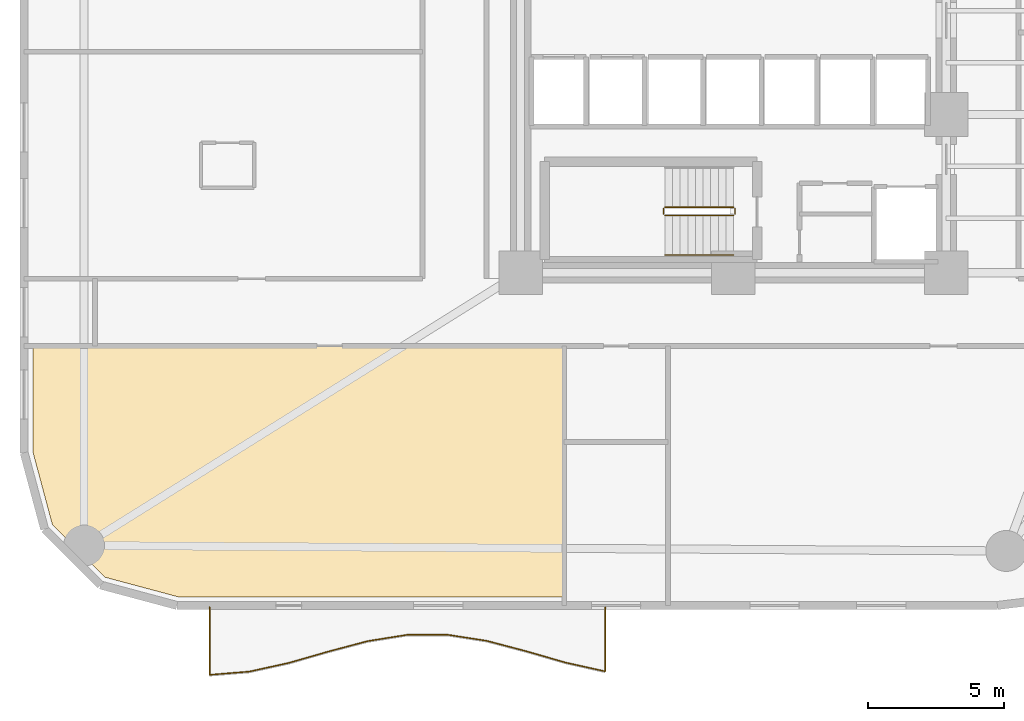
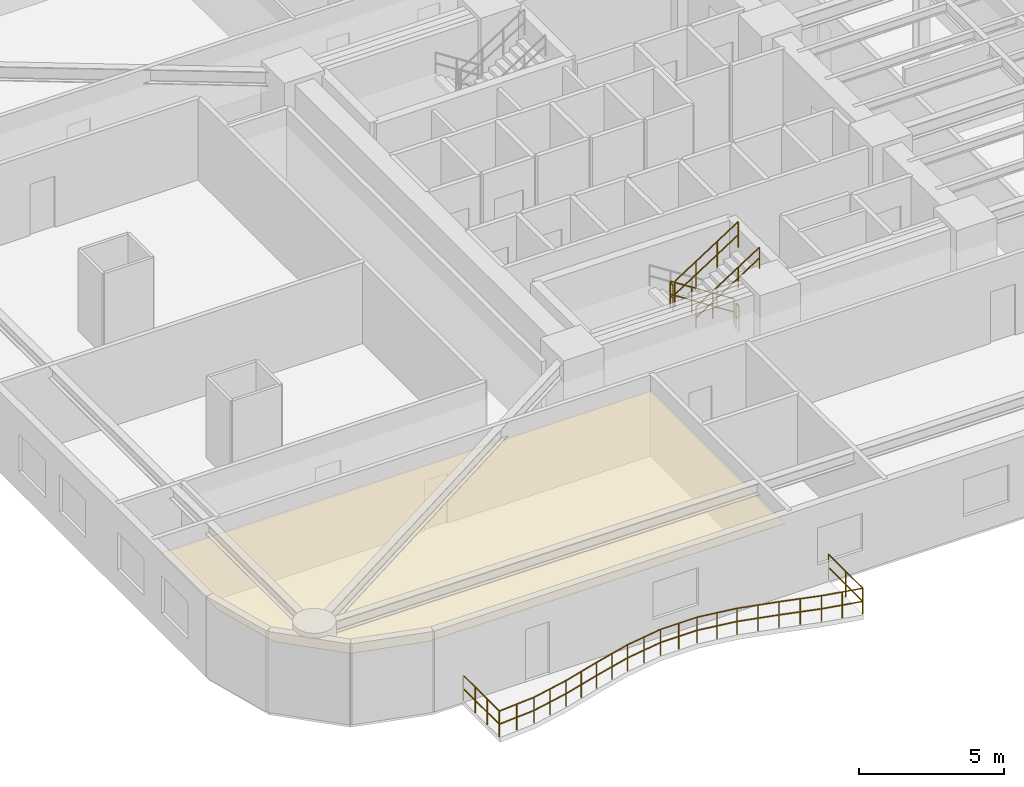
# One storey, part 14 of 16: 6 railings, 1 covering.
"""IFC4 building model written with IfcOpenShell, lengths in metres."""

import ifcopenshell
import ifcopenshell.guid

model = None  # the IFC model being written
_history = None  # IfcOwnerHistory: only IFC2X3 demands one
_inside = {}  # id of a spatial element -> (the spatial element, [elements in it])
_under = {}  # id of a project, library or spatial element -> (it, [spatial elements below it])
_declared = {}  # id of a project -> (the project, [libraries it declares])
_typed = {}  # id of a type object -> (the type object, [elements of that type])
_made_of = {}  # id of a material, layer set ... -> (it, [elements and type objects made of it])


def new_model(schema):
    """Start an empty IFC model of exactly this schema.

    Asked for "IFC4X3", IfcOpenShell would pick the latest addendum, in which some entities
    have other attributes; the version numbers below select the first issue.
    IFC2X3 requires an IfcOwnerHistory on every rooted entity: one is made here for all.
    """
    global model, _history
    if schema == "IFC4X3":
        model = ifcopenshell.file(schema_version=(4, 3, 0, 0))
    else:
        model = ifcopenshell.file(schema=schema)
    _inside.clear()
    _under.clear()
    _declared.clear()
    _typed.clear()
    _made_of.clear()
    _history = None
    if model.schema == "IFC2X3":
        org = make("IfcOrganization", Name="unknown")
        user = make(
            "IfcPersonAndOrganization",
            ThePerson=make("IfcPerson", FamilyName="unknown"),
            TheOrganization=org,
        )
        app = make(
            "IfcApplication",
            ApplicationDeveloper=org,
            Version="unknown",
            ApplicationFullName="unknown",
            ApplicationIdentifier="unknown",
        )
        _history = make(
            "IfcOwnerHistory",
            OwningUser=user,
            OwningApplication=app,
            ChangeAction="ADDED",
            CreationDate=0,
        )
    return model


def make(cls, **values):
    """One entity of the class cls with the attributes given. An attribute that is None is left unset."""
    return model.create_entity(
        cls, **{name: value for name, value in values.items() if value is not None}
    )


def rooted(cls, **values):
    """An entity with a GlobalId (a new one), such as an element, a storey or a relation."""
    return make(cls, GlobalId=ifcopenshell.guid.new(), OwnerHistory=_history, **values)


def si_unit(unit_type, name, prefix=None):
    """IfcSIUnit, for example si_unit("LENGTHUNIT", "METRE", prefix="MILLI")."""
    return make("IfcSIUnit", UnitType=unit_type, Prefix=prefix, Name=name)


def assignment(units):
    """IfcUnitAssignment: the units of a project."""
    return None if units is None else make("IfcUnitAssignment", Units=units)


def point(xyz):
    """IfcCartesianPoint."""
    return None if xyz is None else make("IfcCartesianPoint", Coordinates=xyz)


def direction(xyz):
    """IfcDirection."""
    return None if xyz is None else make("IfcDirection", DirectionRatios=xyz)


def frame(location, z_axis=None, x_axis=None):
    """IfcAxis2Placement3D, a coordinate frame: its origin and axes. An axis left out is left unset."""
    return make(
        "IfcAxis2Placement3D",
        Location=point(location),
        Axis=direction(z_axis),
        RefDirection=direction(x_axis),
    )


def frame_2d(location, x_axis=None):
    """IfcAxis2Placement2D, a coordinate frame in the plane: its origin and x axis."""
    return make(
        "IfcAxis2Placement2D", Location=point(location), RefDirection=direction(x_axis)
    )


def origin():
    """The frame at (0, 0, 0) with its axes left unset."""
    return frame((0.0, 0.0, 0.0))


def origin_2d():
    """The frame at (0, 0) in the plane with its x axis left unset."""
    return frame_2d((0.0, 0.0))


def place(relative_to, where):
    """IfcLocalPlacement: puts the frame where relative to a parent placement (None: the world)."""
    return make(
        "IfcLocalPlacement", PlacementRelTo=relative_to, RelativePlacement=where
    )


def context(
    kind, dimensions, precision=None, world=None, true_north=None, identifier=None
):
    """IfcGeometricRepresentationContext, for example the 3D "Model" context."""
    return make(
        "IfcGeometricRepresentationContext",
        ContextIdentifier=identifier,
        ContextType=kind,
        CoordinateSpaceDimension=dimensions,
        Precision=precision,
        WorldCoordinateSystem=world,
        TrueNorth=true_north,
    )


def subcontext(parent, identifier, kind, view, scale=None):
    """IfcGeometricRepresentationSubContext, for example "Body" below "Model"."""
    return make(
        "IfcGeometricRepresentationSubContext",
        ContextIdentifier=identifier,
        ContextType=kind,
        ParentContext=parent,
        TargetScale=scale,
        TargetView=view,
    )


def project(units=None, contexts=None):
    """IfcProject with its units and contexts."""
    return rooted(
        "IfcProject",
        Name="project",
        RepresentationContexts=contexts,
        UnitsInContext=assignment(units),
    )


def spatial(cls, under=None, at=None, **own):
    """A site, building, storey or space (cls), placed at a placement, below another one or the project."""
    s = rooted(cls, ObjectPlacement=at, **own)
    if under is not None:
        _under.setdefault(under.id(), (under, []))[1].append(s)
    return s


def polyline(points):
    """IfcPolyline through the points."""
    return make("IfcPolyline", Points=[point(p) for p in points])


def profile(cls, at=None, kind="AREA", **sizes):
    """A parametric profile (cls). Its sizes go by their IFC names, for example OverallWidth=200.0."""
    return make(cls, ProfileType=kind, Position=at, **sizes)


def circle(**sizes):
    """IfcCircleProfileDef."""
    return profile("IfcCircleProfileDef", **sizes)


def outline(outer, holes=None, kind="AREA"):
    """IfcArbitraryClosedProfileDef: a profile drawn as a closed curve; with holes, ...WithVoids."""
    if holes is None:
        return make("IfcArbitraryClosedProfileDef", ProfileType=kind, OuterCurve=outer)
    return make(
        "IfcArbitraryProfileDefWithVoids",
        ProfileType=kind,
        OuterCurve=outer,
        InnerCurves=holes,
    )


def extrude(swept, where, along, depth):
    """IfcExtrudedAreaSolid: the profile swept, set in the frame where, extruded along a direction by depth."""
    return make(
        "IfcExtrudedAreaSolid",
        SweptArea=swept,
        Position=where,
        ExtrudedDirection=direction(along),
        Depth=depth,
    )


def shape(context_of_items, identifier, shape_type, items):
    """IfcShapeRepresentation: the items that make up one representation, for example the "Body"."""
    return make(
        "IfcShapeRepresentation",
        ContextOfItems=context_of_items,
        RepresentationIdentifier=identifier,
        RepresentationType=shape_type,
        Items=items,
    )


def material(Name=None, Category=None):
    """IfcMaterial."""
    return make("IfcMaterial", Name=Name, Category=Category)


def layer(
    of_material, thickness, ventilated=None, Name=None, Category=None, Priority=None
):
    """IfcMaterialLayer: one layer of a wall or slab, of a material (None: an air gap)."""
    return make(
        "IfcMaterialLayer",
        Material=of_material,
        LayerThickness=thickness,
        IsVentilated=ventilated,
        Name=Name,
        Category=Category,
        Priority=Priority,
    )


def layer_set(layers, Name=None):
    """IfcMaterialLayerSet."""
    return make("IfcMaterialLayerSet", MaterialLayers=layers, LayerSetName=Name)


def made_of(thing, what):
    """Note that an element or type object is made of a material, layer set ...; save() writes the relation."""
    if what is not None:
        _made_of.setdefault(what.id(), (what, []))[1].append(thing)
    return thing


def type_object(cls, material=None, **own):
    """A type object (cls), such as IfcWallType, which elements share."""
    return made_of(rooted(cls, **own), material)


def element(
    cls,
    number,
    at=None,
    inside=None,
    cuts=None,
    type_object=None,
    material=None,
    context=None,
    identifier="Body",
    shape_type=None,
    held_by="IfcProductDefinitionShape",
    body=None,
    shapes=None,
    **own,
):
    """One element of the class cls, such as IfcWall. Its Tag is "e" and its number.

    at: its placement. inside: the storey or other place that contains it. cuts: it is an
    opening in that element (IfcRelVoidsElement). A single representation is given by context,
    identifier, shape_type and body (its items); several are given by shapes. held_by: the class
    of the entity that holds the representations. save() writes the other relations.
    """
    e = rooted(cls, Tag="e%d" % number, ObjectPlacement=at, **own)
    if body is not None:
        shapes = [shape(context, identifier, shape_type, body)]
    if shapes is not None:
        e.Representation = make(held_by, Representations=shapes)
    if inside is not None:
        _inside.setdefault(inside.id(), (inside, []))[1].append(e)
    if cuts is not None:
        rooted(
            "IfcRelVoidsElement", RelatingBuildingElement=cuts, RelatedOpeningElement=e
        )
    if type_object is not None:
        _typed.setdefault(type_object.id(), (type_object, []))[1].append(e)
    return made_of(e, material)


def aggregate(whole, parts):
    """IfcRelAggregates: a whole, such as a stair, and the parts it consists of."""
    return rooted("IfcRelAggregates", RelatingObject=whole, RelatedObjects=parts)


def save(model, path):
    """Write the relations noted so far, then the file.

    IfcRelAggregates (storeys below a building ...), IfcRelContainedInSpatialStructure (elements
    in a storey), IfcRelDefinesByType, IfcRelAssociatesMaterial and IfcRelDeclares: one each for
    every whole, place, type object, material and project.
    """
    for whole, parts in _under.values():
        aggregate(whole, parts)
    for where, things in _inside.values():
        rooted(
            "IfcRelContainedInSpatialStructure",
            RelatedElements=things,
            RelatingStructure=where,
        )
    for kind, things in _typed.values():
        rooted("IfcRelDefinesByType", RelatedObjects=things, RelatingType=kind)
    for what, things in _made_of.values():
        rooted("IfcRelAssociatesMaterial", RelatedObjects=things, RelatingMaterial=what)
    for by, libraries in _declared.values():
        rooted("IfcRelDeclares", RelatingContext=by, RelatedDefinitions=libraries)
    model.write(path)


model = new_model("IFC4")

# Units and contexts
model_context = context("Model", 3, precision=1e-05, world=origin(), true_north=direction((0.0, 1.0)))
body_context = subcontext(model_context, "Body", "Model", "MODEL_VIEW")
ifc_project = project(units=[si_unit("LENGTHUNIT", "METRE"), si_unit("AREAUNIT", "SQUARE_METRE"), si_unit("VOLUMEUNIT", "CUBIC_METRE"), si_unit("PLANEANGLEUNIT", "RADIAN"), si_unit("MASSUNIT", "GRAM", prefix="KILO")], contexts=[model_context])

# Site, building, storey
site_placement = place(None, origin())
site = spatial("IfcSite", under=ifc_project, at=site_placement, CompositionType="ELEMENT")
building_placement = place(site_placement, origin())
building = spatial("IfcBuilding", under=site, at=building_placement, Name="An Khanh Terracotta Commons", CompositionType="ELEMENT")
storey_placement = place(building_placement, frame((0.0, 0.0, 68.39990234375)))
storey = spatial("IfcBuildingStorey", under=building, at=storey_placement, Name="L18", CompositionType="ELEMENT", Elevation=68.39990234375)

# Covering
ifc_material_1 = material(Name="Perforated Mineral-Fibre Acoustic Tile")
ifc_layer = layer(ifc_material_1, 0.02001953125, Name="Perforated Mineral-Fibre Acoustic Tile")
ifc_layer_set = layer_set([ifc_layer], Name="Perforated Mineral-Fibre Acoustic Tile")
covering_type = type_object("IfcCoveringType", Name="CEIL-ACOUSTIC-18", PredefinedType="CEILING", material=ifc_layer_set)
covering_placement = place(storey_placement, frame((0.0, 0.0, 2.650146484375)))
element("IfcCovering", 1, at=covering_placement, inside=storey, type_object=covering_type, Name="L18 Student Reading Library Ceiling", PredefinedType="CEILING", context=body_context, shape_type="SweptSolid", body=[
    extrude(outline(polyline([(9.0419921875, 2.52001953125), (6.365966796875, 3.237060546875), (4.43701171875, 5.166015625), (3.719970703125, 7.842041015625), (3.719970703125, 11.719970703125), (6.0, 11.719970703125), (23.199951171875, 11.719970703125), (23.199951171875, 8.199951171875), (23.199951171875, 2.52001953125), (9.0419921875, 2.52001953125)])), origin(), (0.0, 0.0, 1.0), 0.02001953125),
])

# Railings
ifc_material_2 = material(Name="Brushed Stainless Steel 316", Category="steel")
railing_type_1 = type_object("IfcRailingType", Name="RAIL-BALUSTRADE-1100", PredefinedType="BALUSTRADE", material=ifc_material_2)
railing_1_placement = place(storey_placement, frame((10.199951171875, 2.139892578125, 0.0)))
element("IfcRailing", 2, at=railing_1_placement, inside=storey, type_object=railing_type_1, Name="L18 S Wave Balcony Guard Balustrade", PredefinedType="BALUSTRADE", context=body_context, shape_type="SweptSolid", body=[
    extrude(circle(Radius=0.02392578125, at=origin_2d()), frame((0.0, 0.0, 1.076171875), z_axis=(0.0, -1.0, 0.0), x_axis=(1.0, 0.0, 0.0)), (0.0, 0.0, 1.0), 2.47998046875),
    extrude(circle(Radius=0.02392578125, at=origin_2d()), frame((0.0, 0.0, 0.52587890625), z_axis=(0.0, -1.0, 0.0), x_axis=(1.0, 0.0, 0.0)), (0.0, 0.0, 1.0), 2.47998046875),
    extrude(circle(Radius=0.02392578125, at=origin_2d()), frame((0.0, -2.47998046875, 1.076171875), z_axis=(0.996695715982, 0.081225917921, 0.0), x_axis=(-0.081225917921, 0.996695715982, 0.0)), (0.0, 0.0, 1.0), 1.454833984375),
    extrude(circle(Radius=0.02392578125, at=origin_2d()), frame((0.0, -2.47998046875, 0.52587890625), z_axis=(0.996695715982, 0.081225917921, 0.0), x_axis=(-0.081225917921, 0.996695715982, 0.0)), (0.0, 0.0, 1.0), 1.454833984375),
    extrude(circle(Radius=0.02392578125, at=origin_2d()), frame((1.449951171875, -2.36181640625, 1.076171875), z_axis=(0.976809814687, 0.214108817967, 0.0), x_axis=(-0.214108817967, 0.976809814687, 0.0)), (0.0, 0.0, 1.0), 1.484619140625),
    extrude(circle(Radius=0.02392578125, at=origin_2d()), frame((1.449951171875, -2.36181640625, 0.52587890625), z_axis=(0.976809814687, 0.214108817967, 0.0), x_axis=(-0.214108817967, 0.976809814687, 0.0)), (0.0, 0.0, 1.0), 1.484619140625),
    extrude(circle(Radius=0.02392578125, at=origin_2d()), frame((2.900146484375, -2.0439453125, 1.076171875), z_axis=(0.961046203514, 0.276387761509, 0.0), x_axis=(-0.276387761509, 0.961046203514, 0.0)), (0.0, 0.0, 1.0), 1.5087890625),
    extrude(circle(Radius=0.02392578125, at=origin_2d()), frame((2.900146484375, -2.0439453125, 0.52587890625), z_axis=(0.961046203514, 0.276387761509, 0.0), x_axis=(-0.276387761509, 0.961046203514, 0.0)), (0.0, 0.0, 1.0), 1.5087890625),
    extrude(circle(Radius=0.02392578125, at=origin_2d()), frame((4.35009765625, -1.626953125, 1.076171875), z_axis=(0.966668506699, 0.256031244492, 0.0), x_axis=(-0.256031244492, 0.966668506699, 0.0)), (0.0, 0.0, 1.0), 1.5),
    extrude(circle(Radius=0.02392578125, at=origin_2d()), frame((4.35009765625, -1.626953125, 0.52587890625), z_axis=(0.966668506699, 0.256031244492, 0.0), x_axis=(-0.256031244492, 0.966668506699, 0.0)), (0.0, 0.0, 1.0), 1.5),
    extrude(circle(Radius=0.02392578125, at=origin_2d()), frame((5.800048828125, -1.242919921875, 1.076171875), z_axis=(0.987550382768, 0.157303024431, 0.0), x_axis=(-0.157303024431, 0.987550382768, 0.0)), (0.0, 0.0, 1.0), 1.46826171875),
    extrude(circle(Radius=0.02392578125, at=origin_2d()), frame((5.800048828125, -1.242919921875, 0.52587890625), z_axis=(0.987550382768, 0.157303024431, 0.0), x_axis=(-0.157303024431, 0.987550382768, 0.0)), (0.0, 0.0, 1.0), 1.46826171875),
    extrude(circle(Radius=0.02392578125, at=origin_2d()), frame((7.25, -1.011962890625, 1.076171875), z_axis=(0.999995903259, 0.002862423027, 0.0), x_axis=(-0.002862423027, 0.999995903259, 0.0)), (0.0, 0.0, 1.0), 1.449951171875),
    extrude(circle(Radius=0.02392578125, at=origin_2d()), frame((7.25, -1.011962890625, 0.52587890625), z_axis=(0.999995903259, 0.002862423027, 0.0), x_axis=(-0.002862423027, 0.999995903259, 0.0)), (0.0, 0.0, 1.0), 1.449951171875),
    extrude(circle(Radius=0.02392578125, at=origin_2d()), frame((8.699951171875, -1.0078125, 1.076171875), z_axis=(0.988267602905, -0.152732265904, 0.0), x_axis=(0.152732265904, 0.988267602905, 0.0)), (0.0, 0.0, 1.0), 1.467529296875),
    extrude(circle(Radius=0.02392578125, at=origin_2d()), frame((8.699951171875, -1.0078125, 0.52587890625), z_axis=(0.988267602905, -0.152732265904, 0.0), x_axis=(0.152732265904, 0.988267602905, 0.0)), (0.0, 0.0, 1.0), 1.467529296875),
    extrude(circle(Radius=0.02392578125, at=origin_2d()), frame((10.150146484375, -1.23193359375, 1.076171875), z_axis=(0.967190459757, -0.254052385456, 0.0), x_axis=(0.254052385456, 0.967190459757, 0.0)), (0.0, 0.0, 1.0), 1.4990234375),
    extrude(circle(Radius=0.02392578125, at=origin_2d()), frame((10.150146484375, -1.23193359375, 0.52587890625), z_axis=(0.967190459757, -0.254052385456, 0.0), x_axis=(0.254052385456, 0.967190459757, 0.0)), (0.0, 0.0, 1.0), 1.4990234375),
    extrude(circle(Radius=0.02392578125, at=origin_2d()), frame((11.60009765625, -1.61279296875, 1.076171875), z_axis=(0.960831047558, -0.277134801223, 0.0), x_axis=(0.277134801223, 0.960831047558, 0.0)), (0.0, 0.0, 1.0), 1.509033203125),
    extrude(circle(Radius=0.02392578125, at=origin_2d()), frame((11.60009765625, -1.61279296875, 0.52587890625), z_axis=(0.960831047558, -0.277134801223, 0.0), x_axis=(0.277134801223, 0.960831047558, 0.0)), (0.0, 0.0, 1.0), 1.509033203125),
    extrude(circle(Radius=0.02392578125, at=origin_2d()), frame((13.050048828125, -2.031005859375, 1.076171875), z_axis=(0.97607478502, -0.217435080078, 0.0), x_axis=(0.217435080078, 0.97607478502, 0.0)), (0.0, 0.0, 1.0), 1.485595703125),
    extrude(circle(Radius=0.02392578125, at=origin_2d()), frame((13.050048828125, -2.031005859375, 0.52587890625), z_axis=(0.97607478502, -0.217435080078, 0.0), x_axis=(0.217435080078, 0.97607478502, 0.0)), (0.0, 0.0, 1.0), 1.485595703125),
    extrude(circle(Radius=0.02392578125, at=origin_2d()), frame((14.5, -2.35400390625, 1.076171875), z_axis=(0.0, 1.0, 0.0), x_axis=(-1.0, 0.0, 0.0)), (0.0, 0.0, 1.0), 2.35400390625),
    extrude(circle(Radius=0.02392578125, at=origin_2d()), frame((14.5, -2.35400390625, 0.52587890625), z_axis=(0.0, 1.0, 0.0), x_axis=(-1.0, 0.0, 0.0)), (0.0, 0.0, 1.0), 2.35400390625),
    extrude(circle(Radius=0.02099609375, at=origin_2d()), origin(), (0.0, 0.0, 1.0), 1.052001953125),
    extrude(circle(Radius=0.02099609375, at=origin_2d()), frame((0.0, -0.82666015625, 0.0)), (0.0, 0.0, 1.0), 1.052001953125),
    extrude(circle(Radius=0.02099609375, at=origin_2d()), frame((0.0, -1.6533203125, 0.0)), (0.0, 0.0, 1.0), 1.052001953125),
    extrude(circle(Radius=0.02099609375, at=origin_2d()), frame((0.0, -2.47998046875, 0.0)), (0.0, 0.0, 1.0), 1.052001953125),
    extrude(circle(Radius=0.02099609375, at=origin_2d()), frame((0.72509765625, -2.4208984375, 0.0)), (0.0, 0.0, 1.0), 1.052001953125),
    extrude(circle(Radius=0.02099609375, at=origin_2d()), frame((1.449951171875, -2.36181640625, 0.0)), (0.0, 0.0, 1.0), 1.052001953125),
    extrude(circle(Radius=0.02099609375, at=origin_2d()), frame((2.175048828125, -2.202880859375, 0.0)), (0.0, 0.0, 1.0), 1.052001953125),
    extrude(circle(Radius=0.02099609375, at=origin_2d()), frame((2.900146484375, -2.0439453125, 0.0)), (0.0, 0.0, 1.0), 1.052001953125),
    extrude(circle(Radius=0.02099609375, at=origin_2d()), frame((3.625, -1.83544921875, 0.0)), (0.0, 0.0, 1.0), 1.052001953125),
    extrude(circle(Radius=0.02099609375, at=origin_2d()), frame((4.35009765625, -1.626953125, 0.0)), (0.0, 0.0, 1.0), 1.052001953125),
    extrude(circle(Radius=0.02099609375, at=origin_2d()), frame((5.0751953125, -1.43505859375, 0.0)), (0.0, 0.0, 1.0), 1.052001953125),
    extrude(circle(Radius=0.02099609375, at=origin_2d()), frame((5.800048828125, -1.242919921875, 0.0)), (0.0, 0.0, 1.0), 1.052001953125),
    extrude(circle(Radius=0.02099609375, at=origin_2d()), frame((6.52490234375, -1.12744140625, 0.0)), (0.0, 0.0, 1.0), 1.052001953125),
    extrude(circle(Radius=0.02099609375, at=origin_2d()), frame((7.25, -1.011962890625, 0.0)), (0.0, 0.0, 1.0), 1.052001953125),
    extrude(circle(Radius=0.02099609375, at=origin_2d()), frame((7.97509765625, -1.009765625, 0.0)), (0.0, 0.0, 1.0), 1.052001953125),
    extrude(circle(Radius=0.02099609375, at=origin_2d()), frame((8.699951171875, -1.0078125, 0.0)), (0.0, 0.0, 1.0), 1.052001953125),
    extrude(circle(Radius=0.02099609375, at=origin_2d()), frame((9.425048828125, -1.119873046875, 0.0)), (0.0, 0.0, 1.0), 1.052001953125),
    extrude(circle(Radius=0.02099609375, at=origin_2d()), frame((10.150146484375, -1.23193359375, 0.0)), (0.0, 0.0, 1.0), 1.052001953125),
    extrude(circle(Radius=0.02099609375, at=origin_2d()), frame((10.875, -1.42236328125, 0.0)), (0.0, 0.0, 1.0), 1.052001953125),
    extrude(circle(Radius=0.02099609375, at=origin_2d()), frame((11.60009765625, -1.61279296875, 0.0)), (0.0, 0.0, 1.0), 1.052001953125),
    extrude(circle(Radius=0.02099609375, at=origin_2d()), frame((12.3251953125, -1.82177734375, 0.0)), (0.0, 0.0, 1.0), 1.052001953125),
    extrude(circle(Radius=0.02099609375, at=origin_2d()), frame((13.050048828125, -2.031005859375, 0.0)), (0.0, 0.0, 1.0), 1.052001953125),
    extrude(circle(Radius=0.02099609375, at=origin_2d()), frame((13.77490234375, -2.1923828125, 0.0)), (0.0, 0.0, 1.0), 1.052001953125),
    extrude(circle(Radius=0.02099609375, at=origin_2d()), frame((14.5, -2.35400390625, 0.0)), (0.0, 0.0, 1.0), 1.052001953125),
    extrude(circle(Radius=0.02099609375, at=origin_2d()), frame((14.5, -1.177001953125, 0.0)), (0.0, 0.0, 1.0), 1.052001953125),
    extrude(circle(Radius=0.02099609375, at=origin_2d()), frame((14.5, 0.0, 0.0)), (0.0, 0.0, 1.0), 1.052001953125),
])
railing_type_2 = type_object("IfcRailingType", Name="RAIL-HANDRAIL-900", PredefinedType="HANDRAIL", material=ifc_material_2)
railing_2_placement = place(storey_placement, frame((26.889892578125, 15.050048828125, 1.97998046875)))
element("IfcRailing", 3, at=railing_2_placement, inside=storey, type_object=railing_type_2, Name="L18 ST-02 stair handrail 2", PredefinedType="HANDRAIL", context=body_context, shape_type="SweptSolid", body=[
    extrude(circle(Radius=0.02392578125, at=origin_2d()), frame((0.0, 0.0, 0.8759765625), z_axis=(0.841162588446, 0.0, 0.540782303519), x_axis=(0.0, 1.0, 0.0)), (0.0, 0.0, 1.0), 2.995849609375),
    extrude(circle(Radius=0.02392578125, at=origin_2d()), frame((0.0, 0.0, 0.42578125), z_axis=(0.841162588446, 0.0, 0.540782303519), x_axis=(0.0, 1.0, 0.0)), (0.0, 0.0, 1.0), 2.995849609375),
    extrude(circle(Radius=0.02099609375, at=origin_2d()), origin(), (0.0, 0.0, 1.0), 0.851806640625),
    extrude(circle(Radius=0.02099609375, at=origin_2d()), frame((0.840087890625, 0.0, 0.5400390625)), (0.0, 0.0, 1.0), 0.851806640625),
    extrude(circle(Radius=0.02099609375, at=origin_2d()), frame((1.679931640625, 0.0, 1.080078125)), (0.0, 0.0, 1.0), 0.851806640625),
    extrude(circle(Radius=0.02099609375, at=origin_2d()), frame((2.52001953125, 0.0, 1.6201171875)), (0.0, 0.0, 1.0), 0.851806640625),
])
ifc_material_3 = material(Name="Powder-Coated Steel S355J2", Category="steel")
railing_type_3 = type_object("IfcRailingType", Name="RAIL-STAIR-GUARD-1100", PredefinedType="BALUSTRADE", material=ifc_material_3)
railing_3_placement = place(storey_placement, frame((29.409912109375, 16.800048828125, 0.18017578125)))
element("IfcRailing", 4, at=railing_3_placement, inside=storey, type_object=railing_type_3, Name="L18 ST-02 stair guard 1", PredefinedType="BALUSTRADE", context=body_context, shape_type="SweptSolid", body=[
    extrude(circle(Radius=0.02392578125, at=origin_2d()), frame((0.0, 0.0, 1.076171875), z_axis=(-0.841199657755, 0.0, 0.540724639528), x_axis=(0.0, -1.0, 0.0)), (0.0, 0.0, 1.0), 2.995849609375),
    extrude(circle(Radius=0.02392578125, at=origin_2d()), frame((0.0, 0.0, 0.52587890625), z_axis=(-0.841199657755, 0.0, 0.540724639528), x_axis=(0.0, -1.0, 0.0)), (0.0, 0.0, 1.0), 2.995849609375),
    extrude(circle(Radius=0.02099609375, at=origin_2d()), origin(), (0.0, 0.0, 1.0), 1.052001953125),
    extrude(circle(Radius=0.02099609375, at=origin_2d()), frame((-0.840087890625, 0.0, 0.5400390625)), (0.0, 0.0, 1.0), 1.052001953125),
    extrude(circle(Radius=0.02099609375, at=origin_2d()), frame((-1.679931640625, 0.0, 1.079833984375)), (0.0, 0.0, 1.0), 1.052001953125),
    extrude(circle(Radius=0.02099609375, at=origin_2d()), frame((-2.52001953125, 0.0, 1.619873046875)), (0.0, 0.0, 1.0), 1.052001953125),
])
railing_4_placement = place(storey_placement, frame((26.840087890625, 16.75, 1.800048828125)))
element("IfcRailing", 5, at=railing_4_placement, inside=storey, type_object=railing_type_3, Name="L18 ST-02 stair guard 2", PredefinedType="BALUSTRADE", context=body_context, shape_type="SweptSolid", body=[
    extrude(circle(Radius=0.02392578125, at=origin_2d()), frame((0.0, 0.0, 1.076171875), z_axis=(0.0, -1.0, 0.0), x_axis=(1.0, 0.0, 0.0)), (0.0, 0.0, 1.0), 0.199951171875),
    extrude(circle(Radius=0.02392578125, at=origin_2d()), frame((0.0, 0.0, 0.52587890625), z_axis=(0.0, -1.0, 0.0), x_axis=(1.0, 0.0, 0.0)), (0.0, 0.0, 1.0), 0.199951171875),
    extrude(circle(Radius=0.02099609375, at=origin_2d()), origin(), (0.0, 0.0, 1.0), 1.052001953125),
    extrude(circle(Radius=0.02099609375, at=origin_2d()), frame((0.0, -0.199951171875, 0.0)), (0.0, 0.0, 1.0), 1.052001953125),
])
railing_5_placement = place(storey_placement, frame((26.889892578125, 16.5, 1.97998046875)))
element("IfcRailing", 6, at=railing_5_placement, inside=storey, type_object=railing_type_3, Name="L18 ST-02 stair guard 3", PredefinedType="BALUSTRADE", context=body_context, shape_type="SweptSolid", body=[
    extrude(circle(Radius=0.02392578125, at=origin_2d()), frame((0.0, 0.0, 1.076171875), z_axis=(0.841162588446, 0.0, 0.540782303519), x_axis=(0.0, 1.0, 0.0)), (0.0, 0.0, 1.0), 2.995849609375),
    extrude(circle(Radius=0.02392578125, at=origin_2d()), frame((0.0, 0.0, 0.52587890625), z_axis=(0.841162588446, 0.0, 0.540782303519), x_axis=(0.0, 1.0, 0.0)), (0.0, 0.0, 1.0), 2.995849609375),
    extrude(circle(Radius=0.02099609375, at=origin_2d()), origin(), (0.0, 0.0, 1.0), 1.052001953125),
    extrude(circle(Radius=0.02099609375, at=origin_2d()), frame((0.840087890625, 0.0, 0.5400390625)), (0.0, 0.0, 1.0), 1.052001953125),
    extrude(circle(Radius=0.02099609375, at=origin_2d()), frame((1.679931640625, 0.0, 1.080078125)), (0.0, 0.0, 1.0), 1.052001953125),
    extrude(circle(Radius=0.02099609375, at=origin_2d()), frame((2.52001953125, 0.0, 1.6201171875)), (0.0, 0.0, 1.0), 1.052001953125),
])
railing_6_placement = place(storey_placement, frame((29.4599609375, 16.75, 0.0)))
element("IfcRailing", 7, at=railing_6_placement, inside=storey, type_object=railing_type_3, Name="L18 ST-02 stair guard 4", PredefinedType="BALUSTRADE", context=body_context, shape_type="SweptSolid", body=[
    extrude(circle(Radius=0.02392578125, at=origin_2d()), frame((0.0, 0.0, 1.076171875), z_axis=(0.0, -1.0, 0.0), x_axis=(1.0, 0.0, 0.0)), (0.0, 0.0, 1.0), 0.199951171875),
    extrude(circle(Radius=0.02392578125, at=origin_2d()), frame((0.0, 0.0, 0.52587890625), z_axis=(0.0, -1.0, 0.0), x_axis=(1.0, 0.0, 0.0)), (0.0, 0.0, 1.0), 0.199951171875),
    extrude(circle(Radius=0.02099609375, at=origin_2d()), origin(), (0.0, 0.0, 1.0), 1.052001953125),
    extrude(circle(Radius=0.02099609375, at=origin_2d()), frame((0.0, -0.199951171875, 0.0)), (0.0, 0.0, 1.0), 1.052001953125),
])

save(model, "model.ifc")
